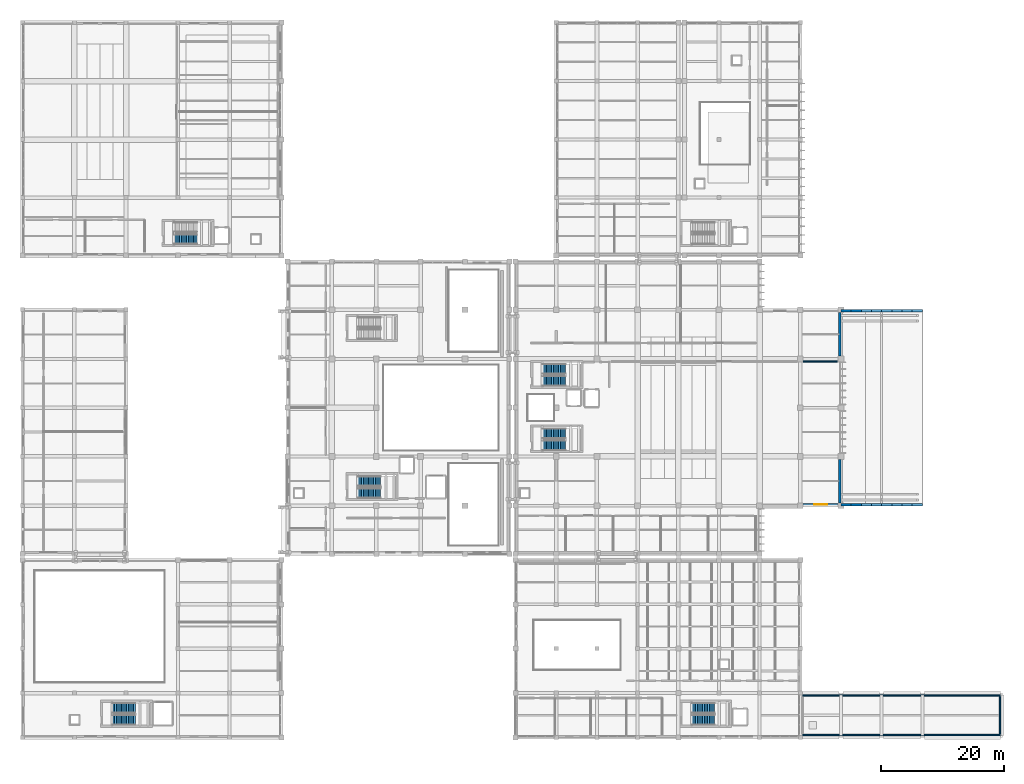
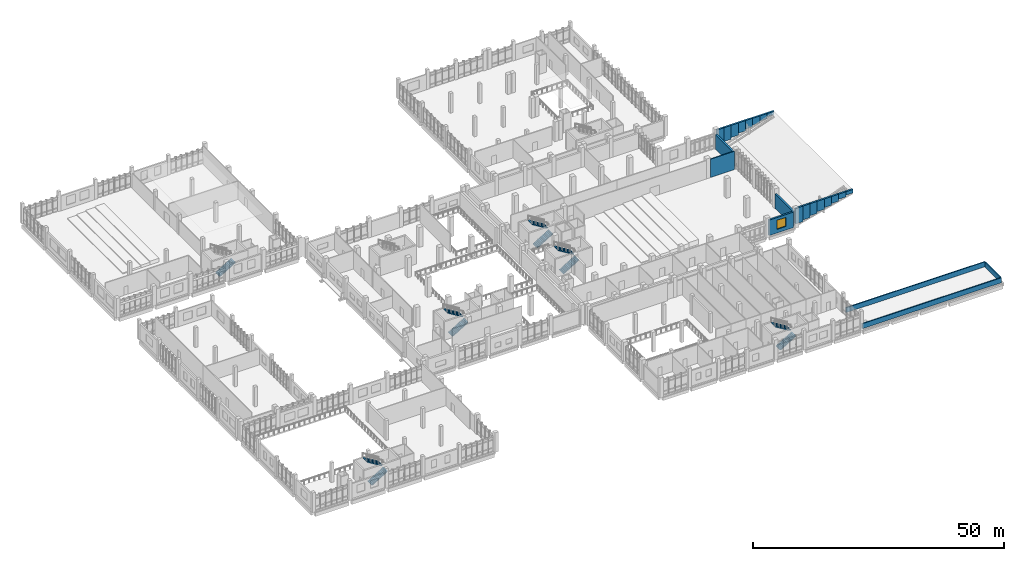
# One storey, part 72 of 90: 23 walls, 11 stair flights, 1 window, 1 opening, 6 elements without a shape of their own.
"""IFC4 building model written with IfcOpenShell, lengths in metres."""

from ifc_helpers import new_model, si_unit, direction, frame, frame_2d, origin, place, context, subcontext, project, spatial, polyline, rectangle, outline, extrude, material, layer, layer_set, type_object, element, fill, aggregate, save


model = new_model("IFC4")

# Units and contexts
model_context = context("Model", 3, precision=1e-05, world=origin(), true_north=direction((0.0, 1.0)))
body_context = subcontext(model_context, "Body", "Model", "MODEL_VIEW")
ifc_project = project(units=[si_unit("LENGTHUNIT", "METRE"), si_unit("AREAUNIT", "SQUARE_METRE"), si_unit("VOLUMEUNIT", "CUBIC_METRE"), si_unit("PLANEANGLEUNIT", "RADIAN"), si_unit("MASSUNIT", "GRAM", prefix="KILO")], contexts=[model_context])

# Site, building, storey
site_placement = place(None, origin())
site = spatial("IfcSite", under=ifc_project, at=site_placement, CompositionType="ELEMENT")
building_placement = place(site_placement, origin())
building = spatial("IfcBuilding", under=site, at=building_placement, Name="Kelarvand Opera House", CompositionType="ELEMENT")
storey_placement = place(building_placement, frame((0.0, 0.0, 5.39990234375)))
storey = spatial("IfcBuildingStorey", under=building, at=storey_placement, Name="L01", CompositionType="ELEMENT", Elevation=5.39990234375)

# Walls
ifc_material_1 = material(Name="Concrete C35/45", Category="concrete")
ifc_layer_1 = layer(ifc_material_1, 0.39990234375, Name="Concrete C35/45", Category="concrete")
ifc_layer_set_1 = layer_set([ifc_layer_1], Name="Concrete C35/45")
wall_type_1 = type_object("IfcWallType", Name="Acoustic Brick-Travertine Double Wall 400", PredefinedType="SOLIDWALL", material=ifc_layer_set_1)
for number, where, z_axis, x_axis, name in (
    (1, (141.6201171875, 77.925048828125, 0.0), (0.0, 0.0, 1.0), (0.0, -1.0, 0.0), "V1 L01 Exterior Wall EW-400 (102)"),
    (2, (141.6201171875, 54.125, 0.0), (0.0, 0.0, 1.0), (0.0, -1.0, 0.0), "V1 L01 Exterior Wall EW-400 (103)"),
):
    element("IfcWall", number, at=place(storey_placement, frame(where, z_axis=z_axis, x_axis=x_axis)), inside=storey, type_object=wall_type_1, Name=name, PredefinedType="SOLIDWALL", context=body_context, shape_type="SweptSolid", body=[
        extrude(rectangle(XDim=7.050048828125, YDim=0.39990234375, at=frame_2d((3.52490234375, 0.0))), origin(), (0.0, 0.0, 1.0), 3.572021484375),
    ])

# Wall, opening, window
wall_1_placement = place(storey_placement, frame((141.324951171875, 46.780029296875, 0.0), z_axis=(0.0, 0.0, 1.0), x_axis=(-1.0, 0.0, 0.0)))
wall_1 = element("IfcWall", 3, at=wall_1_placement, inside=storey, type_object=wall_type_1, Name="V1 L01 Exterior Wall EW-400 (104)", PredefinedType="SOLIDWALL", context=body_context, shape_type="SweptSolid", body=[
    extrude(rectangle(XDim=5.64990234375, YDim=0.39990234375, at=frame_2d((2.824951171875, 0.0))), origin(), (0.0, 0.0, 1.0), 3.772216796875),
])
opening_placement = place(wall_1_placement, frame((1.77490234375, 0.0, 0.89990234375)))
opening = element("IfcOpeningElement", 4, at=opening_placement, cuts=wall_1, Name="Opening WN-02", PredefinedType="OPENING", context=body_context, shape_type="SweptSolid", body=[
    extrude(rectangle(XDim=2.10009765625, YDim=2.199951171875, at=frame_2d((1.050048828125, 1.10009765625))), frame((0.0, 0.2099609375, 0.0), z_axis=(0.0, -1.0, 0.0), x_axis=(1.0, 0.0, 0.0)), (0.0, 0.0, 1.0), 0.419921875),
])
ifc_material_2 = material(Name="Thermally broken aluminium and low-E double glazing", Category="aluminium")
window_type = type_object("IfcWindowType", Name="Recessed Aluminium Thermal Window 2100x2200 WN-02", PartitioningType="SINGLE_PANEL", PredefinedType="WINDOW", material=ifc_material_2)
window_placement = place(opening_placement, origin())
window = element("IfcWindow", 5, at=window_placement, inside=storey, type_object=window_type, Name="V1 L01 Facade Window WN-02 (2)", OverallHeight=2.199951171875, OverallWidth=2.10009765625, PartitioningType="SINGLE_PANEL", PredefinedType="WINDOW", context=body_context, shape_type="SweptSolid", body=[
    extrude(rectangle(XDim=2.10009765625, YDim=2.199951171875, at=frame_2d((1.050048828125, 1.10009765625))), frame((0.0, 0.030029296875, 0.0), z_axis=(0.0, -1.0, 0.0), x_axis=(1.0, 0.0, 0.0)), (0.0, 0.0, 1.0), 0.06005859375),
])
fill(opening, window)

# Walls
ifc_layer_2 = layer(ifc_material_1, 0.239990234375, Name="Concrete C35/45", Category="concrete")
ifc_layer_set_2 = layer_set([ifc_layer_2], Name="Concrete C35/45")
wall_type_2 = type_object("IfcWallType", Name="Capped Travertine Roof Parapet 240", PredefinedType="PARAPET", material=ifc_layer_set_2)
for number, where, z_axis, x_axis, name in (
    (6, (135.580078125, 9.3798828125, 0.0), (0.0, 0.0, 1.0), (1.0, 0.0, 0.0), "V6 Roof Parapet 41"),
    (7, (167.6201171875, 15.820068359375, 0.0), (0.0, 0.0, 1.0), (-1.0, 0.0, 0.0), "V6 Roof Parapet 42"),
):
    element("IfcWall", number, at=place(storey_placement, frame(where, z_axis=z_axis, x_axis=x_axis)), inside=storey, type_object=wall_type_2, Name=name, PredefinedType="PARAPET", context=body_context, shape_type="SweptSolid", body=[
        extrude(rectangle(XDim=32.0400390625, YDim=0.239990234375, at=frame_2d((16.02001953125, 0.0))), origin(), (0.0, 0.0, 1.0), 1.2001953125),
    ])
wall_2_placement = place(storey_placement, frame((167.6201171875, 9.6201171875, 0.0), z_axis=(0.0, 0.0, 1.0), x_axis=(0.0, 1.0, 0.0)))
element("IfcWall", 8, at=wall_2_placement, inside=storey, type_object=wall_type_2, Name="V6 Roof Parapet 44", PredefinedType="PARAPET", context=body_context, shape_type="SweptSolid", body=[
    extrude(rectangle(XDim=5.9599609375, YDim=0.239990234375, at=frame_2d((2.97998046875, 0.0))), origin(), (0.0, 0.0, 1.0), 1.2001953125),
])
ifc_layer_3 = layer(ifc_material_1, 0.179931640625, Name="Concrete C35/45", Category="concrete")
ifc_layer_set_3 = layer_set([ifc_layer_3], Name="Concrete C35/45")
wall_type_3 = type_object("IfcWallType", Name="Corridor Fire-Rated Partition Wall 180 EI90", PredefinedType="PARTITIONING", material=ifc_layer_set_3)
wall_3_placement = place(storey_placement, frame((135.675048828125, 70.0, 0.0), z_axis=(0.0, 0.0, 1.0), x_axis=(1.0, 0.0, 0.0)))
element("IfcWall", 9, at=wall_3_placement, inside=storey, type_object=wall_type_3, Name="V1 L01 Partition Wall IW-90 (365)", PredefinedType="PARTITIONING", context=body_context, shape_type="SweptSolid", body=[
    extrude(rectangle(XDim=5.52490234375, YDim=0.179931640625, at=frame_2d((2.762451171875, 0.0))), origin(), (0.0, 0.0, 1.0), 4.47216796875),
])
ifc_material_3 = material(Name="Concrete C40/50", Category="concrete")
ifc_layer_4 = layer(ifc_material_3, 0.39990234375, Name="Concrete C40/50", Category="concrete")
ifc_layer_set_4 = layer_set([ifc_layer_4], Name="Concrete C40/50")
wall_type_4 = type_object("IfcWallType", Name="Seismic Compartment Shear Wall 400", PredefinedType="SHEAR", material=ifc_layer_set_4)
wall_4_placement = place(storey_placement, frame((141.800048828125, 46.780029296875, 0.7001953125), z_axis=(0.0, 0.0, 1.0), x_axis=(1.0, 0.0, 0.0)))
element("IfcWall", 10, at=wall_4_placement, inside=storey, type_object=wall_type_4, Name="Auditorium Cantilever Concrete Box Cheek Wall S1", PredefinedType="SHEAR", context=body_context, shape_type="SweptSolid", body=[
    extrude(rectangle(XDim=1.64990234375, YDim=0.39990234375, at=frame_2d((0.824951171875, 0.0))), origin(), (0.0, 0.0, 1.0), 3.77978515625),
])
wall_5_placement = place(storey_placement, frame((143.449951171875, 46.780029296875, 1.1201171875), z_axis=(0.0, 0.0, 1.0), x_axis=(1.0, 0.0, 0.0)))
element("IfcWall", 11, at=wall_5_placement, inside=storey, type_object=wall_type_4, Name="Auditorium Cantilever Concrete Box Cheek Wall S2", PredefinedType="SHEAR", context=body_context, shape_type="SweptSolid", body=[
    extrude(rectangle(XDim=1.650146484375, YDim=0.39990234375, at=frame_2d((0.8251953125, 0.0))), origin(), (0.0, 0.0, 1.0), 3.35986328125),
])
wall_6_placement = place(storey_placement, frame((145.10009765625, 46.780029296875, 1.5400390625), z_axis=(0.0, 0.0, 1.0), x_axis=(1.0, 0.0, 0.0)))
element("IfcWall", 12, at=wall_6_placement, inside=storey, type_object=wall_type_4, Name="Auditorium Cantilever Concrete Box Cheek Wall S3", PredefinedType="SHEAR", context=body_context, shape_type="SweptSolid", body=[
    extrude(rectangle(XDim=1.64990234375, YDim=0.39990234375, at=frame_2d((0.824951171875, 0.0))), origin(), (0.0, 0.0, 1.0), 2.93994140625),
])
wall_7_placement = place(storey_placement, frame((146.75, 46.780029296875, 1.960205078125), z_axis=(0.0, 0.0, 1.0), x_axis=(1.0, 0.0, 0.0)))
element("IfcWall", 13, at=wall_7_placement, inside=storey, type_object=wall_type_4, Name="Auditorium Cantilever Concrete Box Cheek Wall S4", PredefinedType="SHEAR", context=body_context, shape_type="SweptSolid", body=[
    extrude(rectangle(XDim=1.64990234375, YDim=0.39990234375, at=frame_2d((0.824951171875, 0.0))), origin(), (0.0, 0.0, 1.0), 2.519775390625),
])
wall_8_placement = place(storey_placement, frame((148.39990234375, 46.780029296875, 2.380126953125), z_axis=(0.0, 0.0, 1.0), x_axis=(1.0, 0.0, 0.0)))
element("IfcWall", 14, at=wall_8_placement, inside=storey, type_object=wall_type_4, Name="Auditorium Cantilever Concrete Box Cheek Wall S5", PredefinedType="SHEAR", context=body_context, shape_type="SweptSolid", body=[
    extrude(rectangle(XDim=1.650146484375, YDim=0.39990234375, at=frame_2d((0.8251953125, 0.0))), origin(), (0.0, 0.0, 1.0), 2.099853515625),
])
wall_9_placement = place(storey_placement, frame((150.050048828125, 46.780029296875, 2.800048828125), z_axis=(0.0, 0.0, 1.0), x_axis=(1.0, 0.0, 0.0)))
element("IfcWall", 15, at=wall_9_placement, inside=storey, type_object=wall_type_4, Name="Auditorium Cantilever Concrete Box Cheek Wall S6", PredefinedType="SHEAR", context=body_context, shape_type="SweptSolid", body=[
    extrude(rectangle(XDim=1.64990234375, YDim=0.39990234375, at=frame_2d((0.824951171875, 0.0))), origin(), (0.0, 0.0, 1.0), 1.679931640625),
])
wall_10_placement = place(storey_placement, frame((151.699951171875, 46.780029296875, 3.22021484375), z_axis=(0.0, 0.0, 1.0), x_axis=(1.0, 0.0, 0.0)))
element("IfcWall", 16, at=wall_10_placement, inside=storey, type_object=wall_type_4, Name="Auditorium Cantilever Concrete Box Cheek Wall S7", PredefinedType="SHEAR", context=body_context, shape_type="SweptSolid", body=[
    extrude(rectangle(XDim=1.650146484375, YDim=0.39990234375, at=frame_2d((0.8251953125, 0.0))), origin(), (0.0, 0.0, 1.0), 1.259765625),
])
wall_11_placement = place(storey_placement, frame((153.35009765625, 46.780029296875, 3.64013671875), z_axis=(0.0, 0.0, 1.0), x_axis=(1.0, 0.0, 0.0)))
element("IfcWall", 17, at=wall_11_placement, inside=storey, type_object=wall_type_4, Name="Auditorium Cantilever Concrete Box Cheek Wall S8", PredefinedType="SHEAR", context=body_context, shape_type="SweptSolid", body=[
    extrude(rectangle(XDim=1.64990234375, YDim=0.39990234375, at=frame_2d((0.824951171875, 0.0))), origin(), (0.0, 0.0, 1.0), 0.83984375),
])
wall_12_placement = place(storey_placement, frame((141.800048828125, 78.219970703125, 0.7001953125), z_axis=(0.0, 0.0, 1.0), x_axis=(1.0, 0.0, 0.0)))
element("IfcWall", 18, at=wall_12_placement, inside=storey, type_object=wall_type_4, Name="Auditorium Cantilever Concrete Box Cheek Wall N1", PredefinedType="SHEAR", context=body_context, shape_type="SweptSolid", body=[
    extrude(rectangle(XDim=1.64990234375, YDim=0.39990234375, at=frame_2d((0.824951171875, 0.0))), origin(), (0.0, 0.0, 1.0), 3.77978515625),
])
wall_13_placement = place(storey_placement, frame((143.449951171875, 78.219970703125, 1.1201171875), z_axis=(0.0, 0.0, 1.0), x_axis=(1.0, 0.0, 0.0)))
element("IfcWall", 19, at=wall_13_placement, inside=storey, type_object=wall_type_4, Name="Auditorium Cantilever Concrete Box Cheek Wall N2", PredefinedType="SHEAR", context=body_context, shape_type="SweptSolid", body=[
    extrude(rectangle(XDim=1.650146484375, YDim=0.39990234375, at=frame_2d((0.8251953125, 0.0))), origin(), (0.0, 0.0, 1.0), 3.35986328125),
])
wall_14_placement = place(storey_placement, frame((145.10009765625, 78.219970703125, 1.5400390625), z_axis=(0.0, 0.0, 1.0), x_axis=(1.0, 0.0, 0.0)))
element("IfcWall", 20, at=wall_14_placement, inside=storey, type_object=wall_type_4, Name="Auditorium Cantilever Concrete Box Cheek Wall N3", PredefinedType="SHEAR", context=body_context, shape_type="SweptSolid", body=[
    extrude(rectangle(XDim=1.64990234375, YDim=0.39990234375, at=frame_2d((0.824951171875, 0.0))), origin(), (0.0, 0.0, 1.0), 2.93994140625),
])
wall_15_placement = place(storey_placement, frame((146.75, 78.219970703125, 1.960205078125), z_axis=(0.0, 0.0, 1.0), x_axis=(1.0, 0.0, 0.0)))
element("IfcWall", 21, at=wall_15_placement, inside=storey, type_object=wall_type_4, Name="Auditorium Cantilever Concrete Box Cheek Wall N4", PredefinedType="SHEAR", context=body_context, shape_type="SweptSolid", body=[
    extrude(rectangle(XDim=1.64990234375, YDim=0.39990234375, at=frame_2d((0.824951171875, 0.0))), origin(), (0.0, 0.0, 1.0), 2.519775390625),
])
wall_16_placement = place(storey_placement, frame((148.39990234375, 78.219970703125, 2.380126953125), z_axis=(0.0, 0.0, 1.0), x_axis=(1.0, 0.0, 0.0)))
element("IfcWall", 22, at=wall_16_placement, inside=storey, type_object=wall_type_4, Name="Auditorium Cantilever Concrete Box Cheek Wall N5", PredefinedType="SHEAR", context=body_context, shape_type="SweptSolid", body=[
    extrude(rectangle(XDim=1.650146484375, YDim=0.39990234375, at=frame_2d((0.8251953125, 0.0))), origin(), (0.0, 0.0, 1.0), 2.099853515625),
])
wall_17_placement = place(storey_placement, frame((150.050048828125, 78.219970703125, 2.800048828125), z_axis=(0.0, 0.0, 1.0), x_axis=(1.0, 0.0, 0.0)))
element("IfcWall", 23, at=wall_17_placement, inside=storey, type_object=wall_type_4, Name="Auditorium Cantilever Concrete Box Cheek Wall N6", PredefinedType="SHEAR", context=body_context, shape_type="SweptSolid", body=[
    extrude(rectangle(XDim=1.64990234375, YDim=0.39990234375, at=frame_2d((0.824951171875, 0.0))), origin(), (0.0, 0.0, 1.0), 1.679931640625),
])
wall_18_placement = place(storey_placement, frame((151.699951171875, 78.219970703125, 3.22021484375), z_axis=(0.0, 0.0, 1.0), x_axis=(1.0, 0.0, 0.0)))
element("IfcWall", 24, at=wall_18_placement, inside=storey, type_object=wall_type_4, Name="Auditorium Cantilever Concrete Box Cheek Wall N7", PredefinedType="SHEAR", context=body_context, shape_type="SweptSolid", body=[
    extrude(rectangle(XDim=1.650146484375, YDim=0.39990234375, at=frame_2d((0.8251953125, 0.0))), origin(), (0.0, 0.0, 1.0), 1.259765625),
])
wall_19_placement = place(storey_placement, frame((153.35009765625, 78.219970703125, 3.64013671875), z_axis=(0.0, 0.0, 1.0), x_axis=(1.0, 0.0, 0.0)))
element("IfcWall", 25, at=wall_19_placement, inside=storey, type_object=wall_type_4, Name="Auditorium Cantilever Concrete Box Cheek Wall N8", PredefinedType="SHEAR", context=body_context, shape_type="SweptSolid", body=[
    extrude(rectangle(XDim=1.64990234375, YDim=0.39990234375, at=frame_2d((0.824951171875, 0.0))), origin(), (0.0, 0.0, 1.0), 0.83984375),
])

# Stair, stair flights
stair_type = type_object("IfcStairType", Name="Dogleg Concrete Exit Stair 1660mm 28R STA-01", PredefinedType="HALF_TURN_STAIR", material=ifc_material_1)
stair_1_placement = place(storey_placement, origin())
stair_1 = element("IfcStair", 26, at=stair_1_placement, inside=storey, type_object=stair_type, Name="L01 Auditorium North Firefighting and Public Core C1 Stair ST-01", PredefinedType="HALF_TURN_STAIR")
stair_flight_type = type_object("IfcStairFlightType", Name="Precast Stair Flight 1660mm 14x171mm STF-01", PredefinedType="STRAIGHT", material=ifc_material_1)
stair_flight_1_placement = place(storey_placement, frame((93.4599609375, 66.830078125, 0.0), z_axis=(0.0, 0.0, 1.0), x_axis=(1.0, 0.0, 0.0)))
stair_flight_1 = element("IfcStairFlight", 27, at=stair_flight_1_placement, type_object=stair_flight_type, Name="ST-01 flight 1", NumberOfRisers=14, NumberOfTreads=13, PredefinedType="STRAIGHT", RiserHeight=0.171428571, TreadLength=0.28, context=body_context, shape_type="SweptSolid", body=[
    extrude(outline(polyline([(0.0, 0.0), (0.0, 0.17138671875), (0.280029296875, 0.17138671875), (0.280029296875, 0.3427734375), (0.56005859375, 0.3427734375), (0.56005859375, 0.514404296875), (0.840087890625, 0.514404296875), (0.840087890625, 0.685791015625), (1.1201171875, 0.685791015625), (1.1201171875, 0.857177734375), (1.39990234375, 0.857177734375), (1.39990234375, 1.028564453125), (1.679931640625, 1.028564453125), (1.679931640625, 1.199951171875), (1.9599609375, 1.199951171875), (1.9599609375, 1.371337890625), (2.239990234375, 1.371337890625), (2.239990234375, 1.54296875), (2.52001953125, 1.54296875), (2.52001953125, 1.71435546875), (2.800048828125, 1.71435546875), (2.800048828125, 1.8857421875), (3.080078125, 1.8857421875), (3.080078125, 2.05712890625), (3.360107421875, 2.05712890625), (3.360107421875, 2.228515625), (3.639892578125, 2.228515625), (3.639892578125, 2.39990234375), (3.639892578125, 2.041015625), (0.30615234375, 0.0), (0.0, 0.0)])), frame((0.0, 0.830078125, 0.0), z_axis=(0.0, -1.0, 0.0), x_axis=(1.0, 0.0, 0.0)), (0.0, 0.0, 1.0), 1.659912109375),
])
stair_flight_2_placement = place(storey_placement, frame((97.10009765625, 68.77001953125, 2.400146484375), z_axis=(0.0, 0.0, 1.0), x_axis=(-1.0, 0.0, 0.0)))
stair_flight_2 = element("IfcStairFlight", 28, at=stair_flight_2_placement, type_object=stair_flight_type, Name="ST-01 flight 2", NumberOfRisers=14, NumberOfTreads=13, PredefinedType="STRAIGHT", RiserHeight=0.171428571, TreadLength=0.28, context=body_context, shape_type="SweptSolid", body=[
    extrude(outline(polyline([(0.0, 0.0), (0.0, 0.17138671875), (0.280029296875, 0.17138671875), (0.280029296875, 0.3427734375), (0.56005859375, 0.3427734375), (0.56005859375, 0.514404296875), (0.840087890625, 0.514404296875), (0.840087890625, 0.685791015625), (1.1201171875, 0.685791015625), (1.1201171875, 0.857177734375), (1.39990234375, 0.857177734375), (1.39990234375, 1.028564453125), (1.679931640625, 1.028564453125), (1.679931640625, 1.199951171875), (1.9599609375, 1.199951171875), (1.9599609375, 1.371337890625), (2.239990234375, 1.371337890625), (2.239990234375, 1.54296875), (2.52001953125, 1.54296875), (2.52001953125, 1.71435546875), (2.800048828125, 1.71435546875), (2.800048828125, 1.8857421875), (3.080078125, 1.8857421875), (3.080078125, 2.05712890625), (3.360107421875, 2.05712890625), (3.360107421875, 2.228515625), (3.639892578125, 2.228515625), (3.639892578125, 2.39990234375), (3.639892578125, 2.041015625), (0.30615234375, 0.0), (0.0, 0.0)])), frame((0.0, 0.830078125, 0.0), z_axis=(0.0, -1.0, 0.0), x_axis=(1.0, 0.0, 0.0)), (0.0, 0.0, 1.0), 1.659912109375),
])
aggregate(stair_1, [stair_flight_1, stair_flight_2])

stair_2_placement = place(storey_placement, origin())
stair_2 = element("IfcStair", 29, at=stair_2_placement, inside=storey, type_object=stair_type, Name="L01 Stage House South Firefighting and Goods Core C2 Stair ST-02", PredefinedType="HALF_TURN_STAIR")
stair_flight_3_placement = place(storey_placement, frame((63.4599609375, 48.6298828125, 0.0), z_axis=(0.0, 0.0, 1.0), x_axis=(1.0, 0.0, 0.0)))
stair_flight_3 = element("IfcStairFlight", 30, at=stair_flight_3_placement, type_object=stair_flight_type, Name="ST-02 flight 1", NumberOfRisers=14, NumberOfTreads=13, PredefinedType="STRAIGHT", RiserHeight=0.171428571, TreadLength=0.28, context=body_context, shape_type="SweptSolid", body=[
    extrude(outline(polyline([(0.0, 0.0), (0.0, 0.17138671875), (0.280029296875, 0.17138671875), (0.280029296875, 0.3427734375), (0.56005859375, 0.3427734375), (0.56005859375, 0.514404296875), (0.840087890625, 0.514404296875), (0.840087890625, 0.685791015625), (1.1201171875, 0.685791015625), (1.1201171875, 0.857177734375), (1.39990234375, 0.857177734375), (1.39990234375, 1.028564453125), (1.679931640625, 1.028564453125), (1.679931640625, 1.199951171875), (1.9599609375, 1.199951171875), (1.9599609375, 1.371337890625), (2.239990234375, 1.371337890625), (2.239990234375, 1.54296875), (2.52001953125, 1.54296875), (2.52001953125, 1.71435546875), (2.800048828125, 1.71435546875), (2.800048828125, 1.8857421875), (3.080078125, 1.8857421875), (3.080078125, 2.05712890625), (3.360107421875, 2.05712890625), (3.360107421875, 2.228515625), (3.639892578125, 2.228515625), (3.639892578125, 2.39990234375), (3.639892578125, 2.041015625), (0.30615234375, 0.0), (0.0, 0.0)])), frame((0.0, 0.830078125, 0.0), z_axis=(0.0, -1.0, 0.0), x_axis=(1.0, 0.0, 0.0)), (0.0, 0.0, 1.0), 1.659912109375),
])
stair_flight_4_placement = place(storey_placement, frame((67.10009765625, 50.570068359375, 2.400146484375), z_axis=(0.0, 0.0, 1.0), x_axis=(-1.0, 0.0, 0.0)))
stair_flight_4 = element("IfcStairFlight", 31, at=stair_flight_4_placement, type_object=stair_flight_type, Name="ST-02 flight 2", NumberOfRisers=14, NumberOfTreads=13, PredefinedType="STRAIGHT", RiserHeight=0.171428571, TreadLength=0.28, context=body_context, shape_type="SweptSolid", body=[
    extrude(outline(polyline([(0.0, 0.0), (0.0, 0.17138671875), (0.280029296875, 0.17138671875), (0.280029296875, 0.3427734375), (0.56005859375, 0.3427734375), (0.56005859375, 0.514404296875), (0.840087890625, 0.514404296875), (0.840087890625, 0.685791015625), (1.1201171875, 0.685791015625), (1.1201171875, 0.857177734375), (1.39990234375, 0.857177734375), (1.39990234375, 1.028564453125), (1.679931640625, 1.028564453125), (1.679931640625, 1.199951171875), (1.9599609375, 1.199951171875), (1.9599609375, 1.371337890625), (2.239990234375, 1.371337890625), (2.239990234375, 1.54296875), (2.52001953125, 1.54296875), (2.52001953125, 1.71435546875), (2.800048828125, 1.71435546875), (2.800048828125, 1.8857421875), (3.080078125, 1.8857421875), (3.080078125, 2.05712890625), (3.360107421875, 2.05712890625), (3.360107421875, 2.228515625), (3.639892578125, 2.228515625), (3.639892578125, 2.39990234375), (3.639892578125, 2.041015625), (0.30615234375, 0.0), (0.0, 0.0)])), frame((0.0, 0.830078125, 0.0), z_axis=(0.0, -1.0, 0.0), x_axis=(1.0, 0.0, 0.0)), (0.0, 0.0, 1.0), 1.659912109375),
])
aggregate(stair_2, [stair_flight_3, stair_flight_4])

stair_3_placement = place(storey_placement, origin())
stair_3 = element("IfcStair", 32, at=stair_3_placement, inside=storey, type_object=stair_type, Name="L01 Auditorium South Foyer Core C4 Stair ST-04", PredefinedType="HALF_TURN_STAIR")
stair_flight_5_placement = place(storey_placement, frame((93.4599609375, 56.3798828125, 0.0), z_axis=(0.0, 0.0, 1.0), x_axis=(1.0, 0.0, 0.0)))
stair_flight_5 = element("IfcStairFlight", 33, at=stair_flight_5_placement, type_object=stair_flight_type, Name="ST-04 flight 1", NumberOfRisers=14, NumberOfTreads=13, PredefinedType="STRAIGHT", RiserHeight=0.171428571, TreadLength=0.28, context=body_context, shape_type="SweptSolid", body=[
    extrude(outline(polyline([(0.0, 0.0), (0.0, 0.17138671875), (0.280029296875, 0.17138671875), (0.280029296875, 0.3427734375), (0.56005859375, 0.3427734375), (0.56005859375, 0.514404296875), (0.840087890625, 0.514404296875), (0.840087890625, 0.685791015625), (1.1201171875, 0.685791015625), (1.1201171875, 0.857177734375), (1.39990234375, 0.857177734375), (1.39990234375, 1.028564453125), (1.679931640625, 1.028564453125), (1.679931640625, 1.199951171875), (1.9599609375, 1.199951171875), (1.9599609375, 1.371337890625), (2.239990234375, 1.371337890625), (2.239990234375, 1.54296875), (2.52001953125, 1.54296875), (2.52001953125, 1.71435546875), (2.800048828125, 1.71435546875), (2.800048828125, 1.8857421875), (3.080078125, 1.8857421875), (3.080078125, 2.05712890625), (3.360107421875, 2.05712890625), (3.360107421875, 2.228515625), (3.639892578125, 2.228515625), (3.639892578125, 2.39990234375), (3.639892578125, 2.041015625), (0.30615234375, 0.0), (0.0, 0.0)])), frame((0.0, 0.830078125, 0.0), z_axis=(0.0, -1.0, 0.0), x_axis=(1.0, 0.0, 0.0)), (0.0, 0.0, 1.0), 1.659912109375),
])
stair_flight_6_placement = place(storey_placement, frame((97.10009765625, 58.320068359375, 2.400146484375), z_axis=(0.0, 0.0, 1.0), x_axis=(-1.0, 0.0, 0.0)))
stair_flight_6 = element("IfcStairFlight", 34, at=stair_flight_6_placement, type_object=stair_flight_type, Name="ST-04 flight 2", NumberOfRisers=14, NumberOfTreads=13, PredefinedType="STRAIGHT", RiserHeight=0.171428571, TreadLength=0.28, context=body_context, shape_type="SweptSolid", body=[
    extrude(outline(polyline([(0.0, 0.0), (0.0, 0.17138671875), (0.280029296875, 0.17138671875), (0.280029296875, 0.3427734375), (0.56005859375, 0.3427734375), (0.56005859375, 0.514404296875), (0.840087890625, 0.514404296875), (0.840087890625, 0.685791015625), (1.1201171875, 0.685791015625), (1.1201171875, 0.857177734375), (1.39990234375, 0.857177734375), (1.39990234375, 1.028564453125), (1.679931640625, 1.028564453125), (1.679931640625, 1.199951171875), (1.9599609375, 1.199951171875), (1.9599609375, 1.371337890625), (2.239990234375, 1.371337890625), (2.239990234375, 1.54296875), (2.52001953125, 1.54296875), (2.52001953125, 1.71435546875), (2.800048828125, 1.71435546875), (2.800048828125, 1.8857421875), (3.080078125, 1.8857421875), (3.080078125, 2.05712890625), (3.360107421875, 2.05712890625), (3.360107421875, 2.228515625), (3.639892578125, 2.228515625), (3.639892578125, 2.39990234375), (3.639892578125, 2.041015625), (0.30615234375, 0.0), (0.0, 0.0)])), frame((0.0, 0.830078125, 0.0), z_axis=(0.0, -1.0, 0.0), x_axis=(1.0, 0.0, 0.0)), (0.0, 0.0, 1.0), 1.659912109375),
])
aggregate(stair_3, [stair_flight_5, stair_flight_6])

# Stair, stair flight
stair_4_placement = place(storey_placement, origin())
stair_4 = element("IfcStair", 35, at=stair_4_placement, inside=storey, type_object=stair_type, Name="L01 Rehearsal Pavilion Core C5 Stair ST-05", PredefinedType="HALF_TURN_STAIR")
stair_flight_7_placement = place(storey_placement, frame((33.659912109375, 89.830078125, 0.0), z_axis=(0.0, 0.0, 1.0), x_axis=(1.0, 0.0, 0.0)))
stair_flight_7 = element("IfcStairFlight", 36, at=stair_flight_7_placement, type_object=stair_flight_type, Name="ST-05 flight 1", NumberOfRisers=14, NumberOfTreads=13, PredefinedType="STRAIGHT", RiserHeight=0.171428571, TreadLength=0.28, context=body_context, shape_type="SweptSolid", body=[
    extrude(outline(polyline([(0.0, 0.0), (0.0, 0.17138671875), (0.280029296875, 0.17138671875), (0.280029296875, 0.3427734375), (0.56005859375, 0.3427734375), (0.56005859375, 0.514404296875), (0.840087890625, 0.514404296875), (0.840087890625, 0.685791015625), (1.1201171875, 0.685791015625), (1.1201171875, 0.857177734375), (1.39990234375, 0.857177734375), (1.39990234375, 1.028564453125), (1.679931640625, 1.028564453125), (1.679931640625, 1.199951171875), (1.9599609375, 1.199951171875), (1.9599609375, 1.371337890625), (2.239990234375, 1.371337890625), (2.239990234375, 1.54296875), (2.52001953125, 1.54296875), (2.52001953125, 1.71435546875), (2.800048828125, 1.71435546875), (2.800048828125, 1.8857421875), (3.080078125, 1.8857421875), (3.080078125, 2.05712890625), (3.360107421875, 2.05712890625), (3.360107421875, 2.228515625), (3.639892578125, 2.228515625), (3.639892578125, 2.39990234375), (3.639892578125, 2.041015625), (0.30615234375, 0.0), (0.0, 0.0)])), frame((0.0, 0.830078125, 0.0), z_axis=(0.0, -1.0, 0.0), x_axis=(1.0, 0.0, 0.0)), (0.0, 0.0, 1.0), 1.659912109375),
])
aggregate(stair_4, [stair_flight_7])

# Stair, stair flights
stair_5_placement = place(storey_placement, origin())
stair_5 = element("IfcStair", 37, at=stair_5_placement, inside=storey, type_object=stair_type, Name="L01 Scenery Workshop and Freight Core C6 Stair ST-06", PredefinedType="HALF_TURN_STAIR")
stair_flight_8_placement = place(storey_placement, frame((23.659912109375, 11.830078125, 0.0), z_axis=(0.0, 0.0, 1.0), x_axis=(1.0, 0.0, 0.0)))
stair_flight_8 = element("IfcStairFlight", 38, at=stair_flight_8_placement, type_object=stair_flight_type, Name="ST-06 flight 1", NumberOfRisers=14, NumberOfTreads=13, PredefinedType="STRAIGHT", RiserHeight=0.171428571, TreadLength=0.28, context=body_context, shape_type="SweptSolid", body=[
    extrude(outline(polyline([(0.0, 0.0), (0.0, 0.17138671875), (0.280029296875, 0.17138671875), (0.280029296875, 0.3427734375), (0.56005859375, 0.3427734375), (0.56005859375, 0.514404296875), (0.840087890625, 0.514404296875), (0.840087890625, 0.685791015625), (1.1201171875, 0.685791015625), (1.1201171875, 0.857177734375), (1.39990234375, 0.857177734375), (1.39990234375, 1.028564453125), (1.679931640625, 1.028564453125), (1.679931640625, 1.199951171875), (1.9599609375, 1.199951171875), (1.9599609375, 1.371337890625), (2.239990234375, 1.371337890625), (2.239990234375, 1.54296875), (2.52001953125, 1.54296875), (2.52001953125, 1.71435546875), (2.800048828125, 1.71435546875), (2.800048828125, 1.8857421875), (3.080078125, 1.8857421875), (3.080078125, 2.05712890625), (3.360107421875, 2.05712890625), (3.360107421875, 2.228515625), (3.639892578125, 2.228515625), (3.639892578125, 2.39990234375), (3.639892578125, 2.041015625), (0.30615234375, 0.0), (0.0, 0.0)])), frame((0.0, 0.830078125, 0.0), z_axis=(0.0, -1.0, 0.0), x_axis=(1.0, 0.0, 0.0)), (0.0, 0.0, 1.0), 1.659912109375),
])
stair_flight_9_placement = place(storey_placement, frame((27.300048828125, 13.77001953125, 2.400146484375), z_axis=(0.0, 0.0, 1.0), x_axis=(-1.0, 0.0, 0.0)))
stair_flight_9 = element("IfcStairFlight", 39, at=stair_flight_9_placement, type_object=stair_flight_type, Name="ST-06 flight 2", NumberOfRisers=14, NumberOfTreads=13, PredefinedType="STRAIGHT", RiserHeight=0.171428571, TreadLength=0.28, context=body_context, shape_type="SweptSolid", body=[
    extrude(outline(polyline([(0.0, 0.0), (0.0, 0.17138671875), (0.280029296875, 0.17138671875), (0.280029296875, 0.3427734375), (0.56005859375, 0.3427734375), (0.56005859375, 0.514404296875), (0.840087890625, 0.514404296875), (0.840087890625, 0.685791015625), (1.1201171875, 0.685791015625), (1.1201171875, 0.857177734375), (1.39990234375, 0.857177734375), (1.39990234375, 1.028564453125), (1.679931640625, 1.028564453125), (1.679931640625, 1.199951171875), (1.9599609375, 1.199951171875), (1.9599609375, 1.371337890625), (2.239990234375, 1.371337890625), (2.239990234375, 1.54296875), (2.52001953125, 1.54296875), (2.52001953125, 1.71435546875), (2.800048828125, 1.71435546875), (2.800048828125, 1.8857421875), (3.080078125, 1.8857421875), (3.080078125, 2.05712890625), (3.360107421875, 2.05712890625), (3.360107421875, 2.228515625), (3.639892578125, 2.228515625), (3.639892578125, 2.39990234375), (3.639892578125, 2.041015625), (0.30615234375, 0.0), (0.0, 0.0)])), frame((0.0, 0.830078125, 0.0), z_axis=(0.0, -1.0, 0.0), x_axis=(1.0, 0.0, 0.0)), (0.0, 0.0, 1.0), 1.659912109375),
])
aggregate(stair_5, [stair_flight_8, stair_flight_9])

stair_6_placement = place(storey_placement, origin())
stair_6 = element("IfcStair", 40, at=stair_6_placement, inside=storey, type_object=stair_type, Name="L01 South Dressing and Production Core C8 Stair ST-08", PredefinedType="HALF_TURN_STAIR")
stair_flight_10_placement = place(storey_placement, frame((117.659912109375, 11.830078125, 0.0), z_axis=(0.0, 0.0, 1.0), x_axis=(1.0, 0.0, 0.0)))
stair_flight_10 = element("IfcStairFlight", 41, at=stair_flight_10_placement, type_object=stair_flight_type, Name="ST-08 flight 1", NumberOfRisers=14, NumberOfTreads=13, PredefinedType="STRAIGHT", RiserHeight=0.171428571, TreadLength=0.28, context=body_context, shape_type="SweptSolid", body=[
    extrude(outline(polyline([(0.0, 0.0), (0.0, 0.17138671875), (0.280029296875, 0.17138671875), (0.280029296875, 0.3427734375), (0.56005859375, 0.3427734375), (0.56005859375, 0.514404296875), (0.840087890625, 0.514404296875), (0.840087890625, 0.685791015625), (1.1201171875, 0.685791015625), (1.1201171875, 0.857177734375), (1.39990234375, 0.857177734375), (1.39990234375, 1.028564453125), (1.679931640625, 1.028564453125), (1.679931640625, 1.199951171875), (1.9599609375, 1.199951171875), (1.9599609375, 1.371337890625), (2.239990234375, 1.371337890625), (2.239990234375, 1.54296875), (2.52001953125, 1.54296875), (2.52001953125, 1.71435546875), (2.800048828125, 1.71435546875), (2.800048828125, 1.8857421875), (3.080078125, 1.8857421875), (3.080078125, 2.05712890625), (3.360107421875, 2.05712890625), (3.360107421875, 2.228515625), (3.639892578125, 2.228515625), (3.639892578125, 2.39990234375), (3.639892578125, 2.041015625), (0.30615234375, 0.0), (0.0, 0.0)])), frame((0.0, 0.830078125, 0.0), z_axis=(0.0, -1.0, 0.0), x_axis=(1.0, 0.0, 0.0)), (0.0, 0.0, 1.0), 1.659912109375),
])
stair_flight_11_placement = place(storey_placement, frame((121.300048828125, 13.77001953125, 2.400146484375), z_axis=(0.0, 0.0, 1.0), x_axis=(-1.0, 0.0, 0.0)))
stair_flight_11 = element("IfcStairFlight", 42, at=stair_flight_11_placement, type_object=stair_flight_type, Name="ST-08 flight 2", NumberOfRisers=14, NumberOfTreads=13, PredefinedType="STRAIGHT", RiserHeight=0.171428571, TreadLength=0.28, context=body_context, shape_type="SweptSolid", body=[
    extrude(outline(polyline([(0.0, 0.0), (0.0, 0.17138671875), (0.280029296875, 0.17138671875), (0.280029296875, 0.3427734375), (0.56005859375, 0.3427734375), (0.56005859375, 0.514404296875), (0.840087890625, 0.514404296875), (0.840087890625, 0.685791015625), (1.1201171875, 0.685791015625), (1.1201171875, 0.857177734375), (1.39990234375, 0.857177734375), (1.39990234375, 1.028564453125), (1.679931640625, 1.028564453125), (1.679931640625, 1.199951171875), (1.9599609375, 1.199951171875), (1.9599609375, 1.371337890625), (2.239990234375, 1.371337890625), (2.239990234375, 1.54296875), (2.52001953125, 1.54296875), (2.52001953125, 1.71435546875), (2.800048828125, 1.71435546875), (2.800048828125, 1.8857421875), (3.080078125, 1.8857421875), (3.080078125, 2.05712890625), (3.360107421875, 2.05712890625), (3.360107421875, 2.228515625), (3.639892578125, 2.228515625), (3.639892578125, 2.39990234375), (3.639892578125, 2.041015625), (0.30615234375, 0.0), (0.0, 0.0)])), frame((0.0, 0.830078125, 0.0), z_axis=(0.0, -1.0, 0.0), x_axis=(1.0, 0.0, 0.0)), (0.0, 0.0, 1.0), 1.659912109375),
])
aggregate(stair_6, [stair_flight_10, stair_flight_11])

save(model, "model.ifc")
